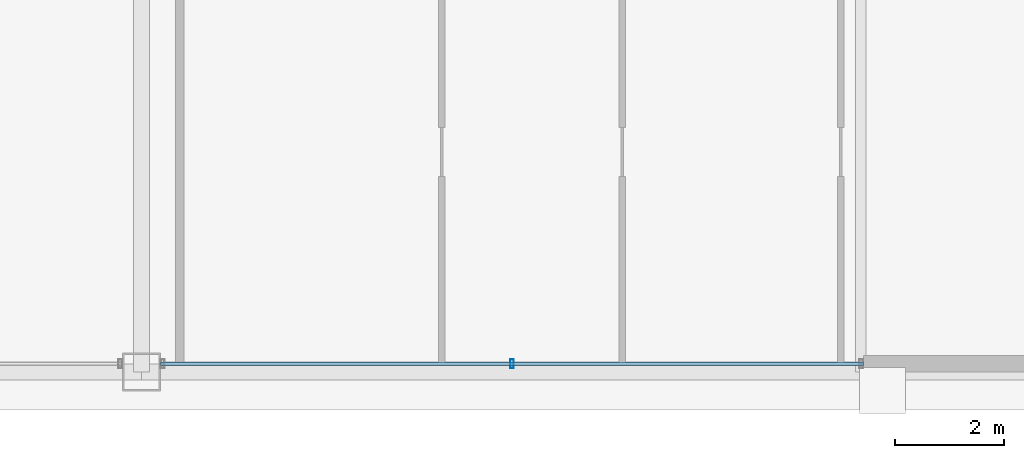
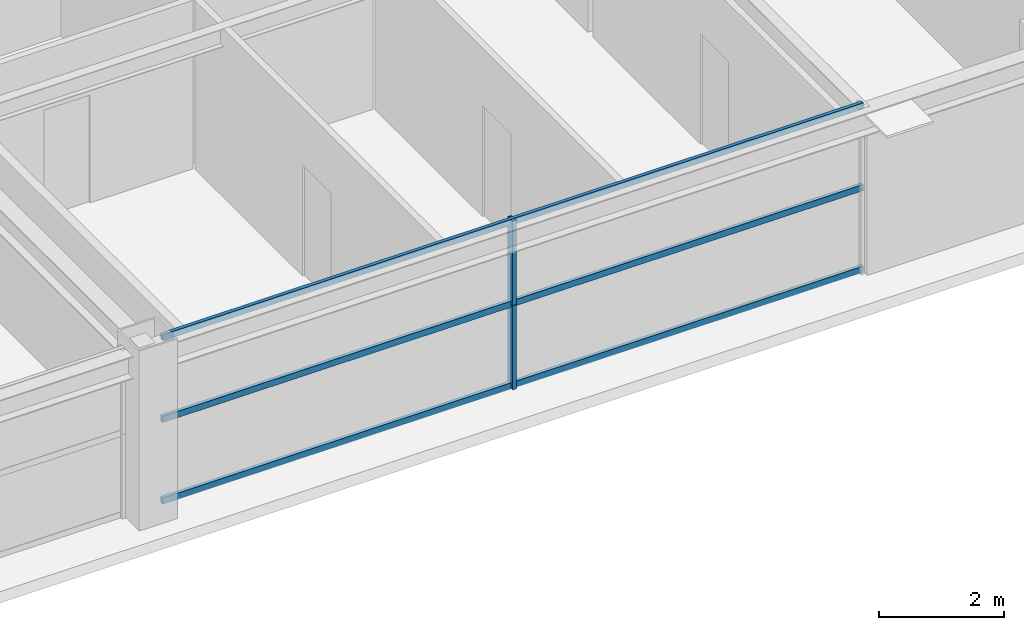
# One storey, part 11 of 36: 5 members, 1 element without a shape of its own.
"""IFC4 building model written with IfcOpenShell, lengths in metres."""

from ifc_helpers import new_model, si_unit, direction, frame, origin, origin_2d, place, context, subcontext, project, spatial, hollow_rectangle, extrude, source, transform, mapped, material, layer, layer_set, material_profile, profile_set, type_object, element, aggregate, save


model = new_model("IFC4")

# Units and contexts
model_context = context("Model", 3, precision=1e-05, world=origin(), true_north=direction((0.0, 1.0)))
body_context = subcontext(model_context, "Body", "Model", "MODEL_VIEW")
ifc_project = project(units=[si_unit("LENGTHUNIT", "METRE"), si_unit("AREAUNIT", "SQUARE_METRE"), si_unit("VOLUMEUNIT", "CUBIC_METRE"), si_unit("PLANEANGLEUNIT", "RADIAN"), si_unit("MASSUNIT", "GRAM", prefix="KILO"), si_unit("THERMODYNAMICTEMPERATUREUNIT", "KELVIN"), si_unit("POWERUNIT", "WATT")], contexts=[model_context])

# Site, building, storey
site_placement = place(None, origin())
site = spatial("IfcSite", under=ifc_project, at=site_placement, CompositionType="ELEMENT")
building_placement = place(site_placement, origin())
building = spatial("IfcBuilding", under=site, at=building_placement, Name="Yuzanri Waterfront Tower", CompositionType="ELEMENT")
storey_placement = place(building_placement, frame((0.0, 0.0, 231.10009765625)))
storey = spatial("IfcBuildingStorey", under=building, at=storey_placement, Name="L61", CompositionType="ELEMENT", Elevation=231.10009765625)

# Curtain wall, members
ifc_material_1 = material(Name="Anodized Architectural Bronze", Category="metal")
ifc_layer = layer(ifc_material_1, 0.159912109375)
ifc_layer_set = layer_set([ifc_layer], Name="Anodized Architectural Bronze")
curtain_wall_type = type_object("IfcCurtainWallType", Name="Anodized Bronze Mid-Rise Residential Acoustic Unitized Curtain Wall 7200", PredefinedType="NOTDEFINED", material=ifc_layer_set)
curtain_wall_placement = place(storey_placement, origin())
curtain_wall = element("IfcCurtainWall", 1, at=curtain_wall_placement, inside=storey, type_object=curtain_wall_type, Name="L61 Curtain Wall CW-L61-SR", PredefinedType="NOTDEFINED")
ifc_material_2 = material(Name="Anodized Architectural Bronze", Category="metal")
ifc_material_profile_1 = material_profile(ifc_material_2, hollow_rectangle(XDim=0.06494140625, YDim=0.159912109375, WallThickness=0.00341796875, at=origin_2d()), Name="CWM 65x160")
ifc_profile_set_1 = profile_set([ifc_material_profile_1], Name="Anodized Architectural Bronze")
member_type_1 = type_object("IfcMemberType", Name="Anodized Bronze Upper-Zone Curtain-Wall Mullion 65x160", PredefinedType="MULLION", material=ifc_profile_set_1)
shared_shape_1 = source(origin(), body_context, "Body", "SweptSolid", [
    extrude(hollow_rectangle(XDim=0.06494140625, YDim=0.159912109375, WallThickness=0.00341796875, at=origin_2d()), origin(), (0.0, 0.0, 1.0), 1.637939453125),
])
member_1_placement = place(storey_placement, frame((43.800048828125, 5.35009765625, 0.0), z_axis=(0.0, 0.0, 1.0), x_axis=(1.0, 0.0, 0.0)))
member_1 = element("IfcMember", 2, at=member_1_placement, type_object=member_type_1, Name="CW-L61-SR Lower Mullion 01", PredefinedType="MULLION", context=body_context, shape_type="MappedRepresentation", body=[
    mapped(shared_shape_1, transform((0.0, 0.0, 0.0), scale=1.0)),
])
member_2_placement = place(storey_placement, frame((43.800048828125, 5.35009765625, 1.641845703125), z_axis=(0.0, 0.0, 1.0), x_axis=(1.0, 0.0, 0.0)))
member_2 = element("IfcMember", 3, at=member_2_placement, type_object=member_type_1, Name="CW-L61-SR Upper Mullion 01", PredefinedType="MULLION", context=body_context, shape_type="MappedRepresentation", body=[
    mapped(shared_shape_1, transform((0.0, 0.0, 0.0), scale=1.0)),
])
ifc_material_3 = material(Name="Anodized Architectural Bronze", Category="metal")
ifc_material_profile_2 = material_profile(ifc_material_3, hollow_rectangle(XDim=0.06494140625, YDim=0.1201171875, WallThickness=0.00341796875, at=origin_2d()), Name="CWT 65x120")
ifc_profile_set_2 = profile_set([ifc_material_profile_2], Name="Anodized Architectural Bronze")
member_type_2 = type_object("IfcMemberType", Name="Anodized Bronze Secondary Curtain-Wall Transom 65x120", PredefinedType="USERDEFINED", material=ifc_profile_set_2)
shared_shape_2 = source(origin(), body_context, "Body", "SweptSolid", [
    extrude(hollow_rectangle(XDim=0.06494140625, YDim=0.1201171875, WallThickness=0.00341796875, at=origin_2d()), origin(), (0.0, 0.0, 1.0), 12.89990234375),
])
member_3_placement = place(storey_placement, frame((37.35009765625, 5.35009765625, 0.0498046875), z_axis=(1.0, 0.0, 0.0), x_axis=(0.0, 1.0, 0.0)))
member_3 = element("IfcMember", 4, at=member_3_placement, type_object=member_type_2, Name="CW-L61-SR Transom 1", ObjectType="TRANSOM", PredefinedType="USERDEFINED", context=body_context, shape_type="MappedRepresentation", body=[
    mapped(shared_shape_2, transform((0.0, 0.0, 0.0), scale=1.0)),
])
member_4_placement = place(storey_placement, frame((37.35009765625, 5.35009765625, 1.639892578125), z_axis=(1.0, 0.0, 0.0), x_axis=(0.0, 1.0, 0.0)))
member_4 = element("IfcMember", 5, at=member_4_placement, type_object=member_type_2, Name="CW-L61-SR Transom 2", ObjectType="TRANSOM", PredefinedType="USERDEFINED", context=body_context, shape_type="MappedRepresentation", body=[
    mapped(shared_shape_2, transform((0.0, 0.0, 0.0), scale=1.0)),
])
member_5_placement = place(storey_placement, frame((37.35009765625, 5.35009765625, 3.22998046875), z_axis=(1.0, 0.0, 0.0), x_axis=(0.0, 1.0, 0.0)))
member_5 = element("IfcMember", 6, at=member_5_placement, type_object=member_type_2, Name="CW-L61-SR Transom 3", ObjectType="TRANSOM", PredefinedType="USERDEFINED", context=body_context, shape_type="MappedRepresentation", body=[
    mapped(shared_shape_2, transform((0.0, 0.0, 0.0), scale=1.0)),
])
aggregate(curtain_wall, [member_1, member_2, member_3, member_4, member_5])

save(model, "model.ifc")
